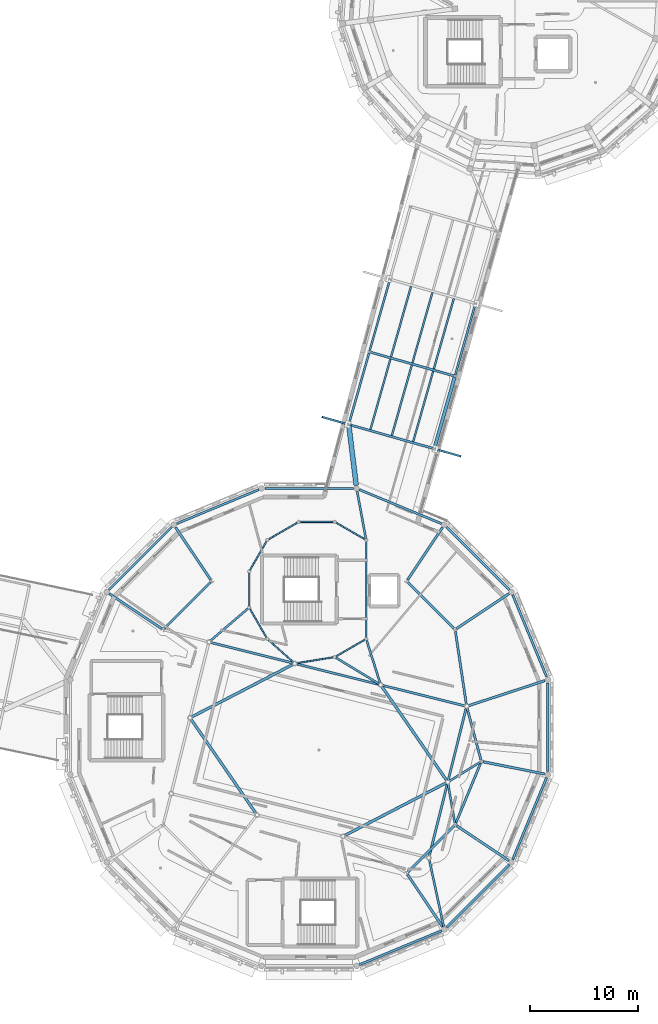
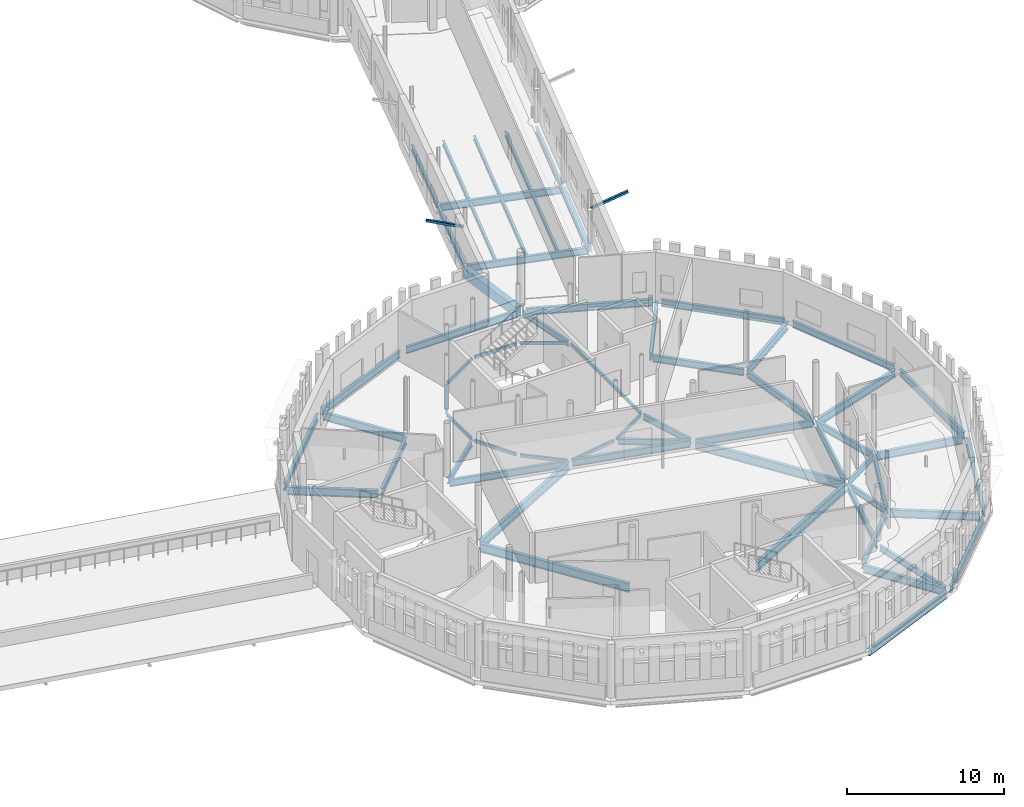
# One storey, part 28 of 90: 63 beams, 2 members.
"""IFC4 building model written with IfcOpenShell, lengths in metres."""

from ifc_helpers import new_model, si_unit, direction, frame, origin, origin_2d, place, context, subcontext, project, spatial, rectangle, hollow_rectangle, i_section, extrude, material, material_profile, profile_set, type_object, element, save


model = new_model("IFC4")

# Units and contexts
model_context = context("Model", 3, precision=1e-05, world=origin(), true_north=direction((0.0, 1.0)))
body_context = subcontext(model_context, "Body", "Model", "MODEL_VIEW")
ifc_project = project(units=[si_unit("LENGTHUNIT", "METRE"), si_unit("AREAUNIT", "SQUARE_METRE"), si_unit("VOLUMEUNIT", "CUBIC_METRE"), si_unit("PLANEANGLEUNIT", "RADIAN"), si_unit("MASSUNIT", "GRAM", prefix="KILO")], contexts=[model_context])

# Site, building, storey
site_placement = place(None, origin())
site = spatial("IfcSite", under=ifc_project, at=site_placement, CompositionType="ELEMENT")
building_placement = place(site_placement, origin())
building = spatial("IfcBuilding", under=site, at=building_placement, Name="Wrenclough Park School", CompositionType="ELEMENT")
storey_placement = place(building_placement, frame((0.0, 0.0, 8.39990234375)))
storey = spatial("IfcBuildingStorey", under=building, at=storey_placement, Name="L02", CompositionType="ELEMENT", Elevation=8.39990234375)

# Beams
ifc_material_1 = material(Name="Concrete C32/40", Category="concrete")
ifc_material_profile_1 = material_profile(ifc_material_1, rectangle(XDim=0.300048828125, YDim=0.5, at=origin_2d()), Name="RC BEAM 300x500")
ifc_profile_set_1 = profile_set([ifc_material_profile_1], Name="Concrete C32/40")
beam_type_1 = type_object("IfcBeamType", Name="STR-BM-RC300", PredefinedType="BEAM", material=ifc_profile_set_1)
beam_1_placement = place(storey_placement, frame((167.072021484375, 52.2783203125, -0.489990234375), z_axis=(0.272808640454, 0.962068316542, 0.0), x_axis=(-0.962068316542, 0.272808640454, 0.0)))
element("IfcBeam", 1, at=beam_1_placement, inside=storey, type_object=beam_type_1, Name="W14 L02 longitudinal edge beam R1", PredefinedType="BEAM", context=body_context, shape_type="SweptSolid", body=[
    extrude(rectangle(XDim=0.300048828125, YDim=0.5, at=origin_2d()), origin(), (0.0, 0.0, 1.0), 6.762939453125),
])
ifc_material_2 = material(Name="Concrete C40/50", Category="concrete")
ifc_material_profile_2 = material_profile(ifc_material_2, rectangle(XDim=0.449951171875, YDim=0.800048828125, at=origin_2d()), Name="RC BEAM 450x800")
ifc_profile_set_2 = profile_set([ifc_material_profile_2], Name="Concrete C40/50")
beam_type_2 = type_object("IfcBeamType", Name="STR-BM-RC450", PredefinedType="BEAM", material=ifc_profile_set_2)
beam_2_placement = place(storey_placement, frame((159.167724609375, 54.318603515625, -0.724853515625), z_axis=(0.12186016137, -0.99254727901, 0.0), x_axis=(0.99254727901, 0.12186016137, 0.0)))
element("IfcBeam", 2, at=beam_2_placement, inside=storey, type_object=beam_type_2, Name="W14 L02 drum junction tie beam 30", PredefinedType="BEAM", context=body_context, shape_type="SweptSolid", body=[
    extrude(rectangle(XDim=0.449951171875, YDim=0.800048828125, at=origin_2d()), origin(), (0.0, 0.0, 1.0), 5.5556640625),
])
ifc_material_3 = material(Name="Structural steel S355", Category="steel")
ifc_material_profile_3 = material_profile(ifc_material_3, hollow_rectangle(XDim=0.14990234375, YDim=0.25, WallThickness=0.010009765625, InnerFilletRadius=0.010009765625, OuterFilletRadius=0.014892578125, at=origin_2d()), Name="RHS 250x150x10.0")
ifc_profile_set_3 = profile_set([ifc_material_profile_3], Name="Structural steel S355")
beam_type_3 = type_object("IfcBeamType", Name="STR-BM-RHS250", PredefinedType="SPANDREL", material=ifc_profile_set_3)
beam_3_placement = place(storey_placement, frame((160.626220703125, 43.83837890625, -0.449951171875), z_axis=(-0.866001636166, 0.500041164463, 0.0), x_axis=(-0.500041164463, -0.866001636166, 0.0)))
element("IfcBeam", 3, at=beam_3_placement, inside=storey, type_object=beam_type_3, Name="D1-SH L02 cylindrical ring beam 1", PredefinedType="SPANDREL", context=body_context, shape_type="SweptSolid", body=[
    extrude(hollow_rectangle(XDim=0.14990234375, YDim=0.25, WallThickness=0.010009765625, InnerFilletRadius=0.010009765625, OuterFilletRadius=0.014892578125, at=origin_2d()), origin(), (0.0, 0.0, 1.0), 3.028076171875),
])
beam_4_placement = place(storey_placement, frame((157.7138671875, 45.43017578125, -0.449951171875), z_axis=(-1.0, 0.0, 0.0), x_axis=(0.0, -1.0, 0.0)))
element("IfcBeam", 4, at=beam_4_placement, inside=storey, type_object=beam_type_3, Name="D1-SH L02 cylindrical ring beam 2", PredefinedType="SPANDREL", context=body_context, shape_type="SweptSolid", body=[
    extrude(hollow_rectangle(XDim=0.14990234375, YDim=0.25, WallThickness=0.010009765625, InnerFilletRadius=0.010009765625, OuterFilletRadius=0.014892578125, at=origin_2d()), origin(), (0.0, 0.0, 1.0), 3.02783203125),
])
beam_5_placement = place(storey_placement, frame((154.39599609375, 45.3525390625, -0.449951171875), z_axis=(-0.866001636166, -0.500041164463, 0.0), x_axis=(0.500041164463, -0.866001636166, 0.0)))
element("IfcBeam", 5, at=beam_5_placement, inside=storey, type_object=beam_type_3, Name="D1-SH L02 cylindrical ring beam 3", PredefinedType="SPANDREL", context=body_context, shape_type="SweptSolid", body=[
    extrude(hollow_rectangle(XDim=0.14990234375, YDim=0.25, WallThickness=0.010009765625, InnerFilletRadius=0.010009765625, OuterFilletRadius=0.014892578125, at=origin_2d()), origin(), (0.0, 0.0, 1.0), 3.028076171875),
])
for number, where, z_axis, x_axis, name in (
    (6, (151.5615234375, 43.626220703125, -0.449951171875), (-0.499980694781, -0.866036549371, 0.0), (0.866036549371, -0.499980694781, 0.0), "D1-SH L02 cylindrical ring beam 4"),
    (7, (149.9697265625, 40.7138671875, -0.449951171875), (0.0, -1.0, 0.0), (1.0, 0.0, 0.0), "D1-SH L02 cylindrical ring beam 5"),
    (8, (150.047607421875, 37.39599609375, -0.449951171875), (0.499980694781, -0.866036549371, 0.0), (0.866036549371, 0.499980694781, 0.0), "D1-SH L02 cylindrical ring beam 6"),
):
    element("IfcBeam", number, at=place(storey_placement, frame(where, z_axis=z_axis, x_axis=x_axis)), inside=storey, type_object=beam_type_3, Name=name, PredefinedType="SPANDREL", context=body_context, shape_type="SweptSolid", body=[
        extrude(hollow_rectangle(XDim=0.14990234375, YDim=0.25, WallThickness=0.010009765625, InnerFilletRadius=0.010009765625, OuterFilletRadius=0.014892578125, at=origin_2d()), origin(), (0.0, 0.0, 1.0), 3.02783203125),
    ])
beam_6_placement = place(storey_placement, frame((151.755126953125, 34.53564453125, -0.449951171875), z_axis=(0.746429961072, -0.665463983409, 0.0), x_axis=(0.665463983409, 0.746429961072, 0.0)))
element("IfcBeam", 9, at=beam_6_placement, inside=storey, type_object=beam_type_3, Name="D1-SH L02 cylindrical ring beam 7", PredefinedType="SPANDREL", context=body_context, shape_type="SweptSolid", body=[
    extrude(hollow_rectangle(XDim=0.14990234375, YDim=0.25, WallThickness=0.010009765625, InnerFilletRadius=0.010009765625, OuterFilletRadius=0.014892578125, at=origin_2d()), origin(), (0.0, 0.0, 1.0), 3.069580078125),
])
beam_7_placement = place(storey_placement, frame((154.3564453125, 32.402587890625, -0.449951171875), z_axis=(0.98721127027, 0.159417401347, 0.0), x_axis=(-0.159417401347, 0.98721127027, 0.0)))
element("IfcBeam", 10, at=beam_7_placement, inside=storey, type_object=beam_type_3, Name="D1-SH L02 cylindrical ring beam 8", PredefinedType="SPANDREL", context=body_context, shape_type="SweptSolid", body=[
    extrude(hollow_rectangle(XDim=0.14990234375, YDim=0.25, WallThickness=0.010009765625, InnerFilletRadius=0.010009765625, OuterFilletRadius=0.014892578125, at=origin_2d()), origin(), (0.0, 0.0, 1.0), 3.40283203125),
])
beam_8_placement = place(storey_placement, frame((158.00390625, 33.047607421875, -0.449951171875), z_axis=(0.866036549371, 0.499980694781, 0.0), x_axis=(-0.499980694781, 0.866036549371, 0.0)))
element("IfcBeam", 11, at=beam_8_placement, inside=storey, type_object=beam_type_3, Name="D1-SH L02 cylindrical ring beam 9", PredefinedType="SPANDREL", context=body_context, shape_type="SweptSolid", body=[
    extrude(hollow_rectangle(XDim=0.14990234375, YDim=0.25, WallThickness=0.010009765625, InnerFilletRadius=0.010009765625, OuterFilletRadius=0.014892578125, at=origin_2d()), origin(), (0.0, 0.0, 1.0), 3.02783203125),
])
beam_9_placement = place(storey_placement, frame((160.7607421875, 34.794677734375, -0.449951171875), z_axis=(0.0, 1.0, 0.0), x_axis=(-1.0, 0.0, 0.0)))
element("IfcBeam", 12, at=beam_9_placement, inside=storey, type_object=beam_type_3, Name="D1-SH L02 cylindrical ring beam 10", PredefinedType="SPANDREL", context=body_context, shape_type="SweptSolid", body=[
    extrude(hollow_rectangle(XDim=0.14990234375, YDim=0.25, WallThickness=0.010009765625, InnerFilletRadius=0.010009765625, OuterFilletRadius=0.014892578125, at=origin_2d()), origin(), (0.0, 0.0, 1.0), 8.810546875),
])
ifc_material_profile_4 = material_profile(ifc_material_3, i_section(OverallWidth=0.1650390625, OverallDepth=0.303466796875, WebThickness=0.006103515625, FlangeThickness=0.01025390625, FilletRadius=0.0087890625, at=origin_2d()), Name="UKB 305x165x40")
ifc_profile_set_4 = profile_set([ifc_material_profile_4], Name="Structural steel S355")
beam_type_4 = type_object("IfcBeamType", Name="STR-BM-UKB305", PredefinedType="JOIST", material=ifc_profile_set_4)
for number, where, z_axis, x_axis, name in (
    (13, (161.15625, 53.9599609375, -0.3916015625), (0.27284457139, 0.962058127071, 0.0), (-0.962058127071, 0.27284457139, 0.0), "W14 L02 secondary floor joist 0070"),
    (14, (165.100830078125, 52.84130859375, -0.3916015625), (0.272801632395, 0.962070303753, 0.0), (-0.962070303753, 0.272801632395, 0.0), "W14 L02 secondary floor joist 0072"),
    (15, (165.028564453125, 60.1005859375, -0.3916015625), (0.272801632395, 0.962070303753, 0.0), (-0.962070303753, 0.272801632395, 0.0), "W14 L02 secondary floor joist 0074"),
):
    element("IfcBeam", number, at=place(storey_placement, frame(where, z_axis=z_axis, x_axis=x_axis)), inside=storey, type_object=beam_type_4, Name=name, PredefinedType="JOIST", context=body_context, shape_type="SweptSolid", body=[
        extrude(i_section(OverallWidth=0.1650390625, OverallDepth=0.303466796875, WebThickness=0.006103515625, FlangeThickness=0.01025390625, FilletRadius=0.0087890625, at=origin_2d()), origin(), (0.0, 0.0, 1.0), 6.7548828125),
    ])
ifc_material_profile_5 = material_profile(ifc_material_3, i_section(OverallWidth=0.17138671875, OverallDepth=0.35498046875, WebThickness=0.00732421875, FlangeThickness=0.011474609375, FilletRadius=0.01025390625, at=origin_2d()), Name="UKB 356x171x51")
ifc_profile_set_5 = profile_set([ifc_material_profile_5], Name="Structural steel S355")
beam_type_5 = type_object("IfcBeamType", Name="STR-BM-UKB356", PredefinedType="JOIST", material=ifc_profile_set_5)
for number, where, z_axis, x_axis, name in (
    (16, (163.128662109375, 53.400634765625, -0.41748046875), (0.272801632395, 0.962070303753, 0.0), (-0.962070303753, 0.272801632395, 0.0), "W14 L02 secondary floor joist 0071"),
    (17, (163.056396484375, 60.659912109375, -0.41748046875), (0.272801632395, 0.962070303753, 0.0), (-0.962070303753, 0.272801632395, 0.0), "W14 L02 secondary floor joist 0073"),
    (18, (167.000732421875, 59.54150390625, -0.41748046875), (0.27284457139, 0.962058127071, 0.0), (-0.962058127071, 0.27284457139, 0.0), "W14 L02 secondary floor joist 0075"),
):
    element("IfcBeam", number, at=place(storey_placement, frame(where, z_axis=z_axis, x_axis=x_axis)), inside=storey, type_object=beam_type_5, Name=name, PredefinedType="JOIST", context=body_context, shape_type="SweptSolid", body=[
        extrude(i_section(OverallWidth=0.17138671875, OverallDepth=0.35498046875, WebThickness=0.00732421875, FlangeThickness=0.011474609375, FilletRadius=0.01025390625, at=origin_2d()), origin(), (0.0, 0.0, 1.0), 6.7548828125),
    ])
ifc_material_profile_6 = material_profile(ifc_material_3, i_section(OverallWidth=0.177978515625, OverallDepth=0.406494140625, WebThickness=0.0078125, FlangeThickness=0.0126953125, FilletRadius=0.01025390625, at=origin_2d()), Name="UKB 406x178x60")
ifc_profile_set_6 = profile_set([ifc_material_profile_6], Name="Structural steel S355")
beam_type_6 = type_object("IfcBeamType", Name="STR-BM-UKB406", PredefinedType="BEAM", material=ifc_profile_set_6)
beam_10_placement = place(storey_placement, frame((161.0830078125, 61.21533203125, -0.443115234375), z_axis=(0.272808640454, 0.962068316542, 0.0), x_axis=(-0.962068316542, 0.272808640454, 0.0)))
element("IfcBeam", 19, at=beam_10_placement, inside=storey, type_object=beam_type_6, Name="W14 L02 longitudinal edge beam L2", PredefinedType="BEAM", context=body_context, shape_type="SweptSolid", body=[
    extrude(i_section(OverallWidth=0.177978515625, OverallDepth=0.406494140625, WebThickness=0.0078125, FlangeThickness=0.0126953125, FilletRadius=0.01025390625, at=origin_2d()), origin(), (0.0, 0.0, 1.0), 6.762939453125),
])
ifc_material_profile_7 = material_profile(ifc_material_3, i_section(OverallWidth=0.18994140625, OverallDepth=0.453369140625, WebThickness=0.008544921875, FlangeThickness=0.0126953125, FilletRadius=0.01025390625, at=origin_2d()), Name="UKB 457x191x67")
ifc_profile_set_7 = profile_set([ifc_material_profile_7], Name="Structural steel S355")
beam_type_7 = type_object("IfcBeamType", Name="STR-BM-UKB457A", PredefinedType="BEAM", material=ifc_profile_set_7)
for number, where, z_axis, x_axis, name in (
    (20, (159.182861328125, 54.515380859375, -0.466552734375), (0.272842053349, 0.962058841196, 0.0), (-0.962058841196, 0.272842053349, 0.0), "W14 L02 longitudinal edge beam L1"),
    (21, (168.971923828125, 58.978271484375, -0.466552734375), (0.272842053349, 0.962058841196, 0.0), (-0.962058841196, 0.272842053349, 0.0), "W14 L02 longitudinal edge beam R2"),
):
    element("IfcBeam", number, at=place(storey_placement, frame(where, z_axis=z_axis, x_axis=x_axis)), inside=storey, type_object=beam_type_7, Name=name, PredefinedType="BEAM", context=body_context, shape_type="SweptSolid", body=[
        extrude(i_section(OverallWidth=0.18994140625, OverallDepth=0.453369140625, WebThickness=0.008544921875, FlangeThickness=0.0126953125, FilletRadius=0.01025390625, at=origin_2d()), origin(), (0.0, 0.0, 1.0), 6.762939453125),
    ])
beam_11_placement = place(storey_placement, frame((146.3916015625, 34.466064453125, -0.551513671875), z_axis=(0.759528898389, 0.650473560195, 0.0), x_axis=(-0.650473560195, 0.759528898389, 0.0)))
element("IfcBeam", 22, at=beam_11_placement, inside=storey, type_object=beam_type_7, Name="Primary frame continuity tie beam 0012", PredefinedType="BEAM", context=body_context, shape_type="SweptSolid", body=[
    extrude(i_section(OverallWidth=0.18994140625, OverallDepth=0.453369140625, WebThickness=0.008544921875, FlangeThickness=0.0126953125, FilletRadius=0.01025390625, at=origin_2d()), origin(), (0.0, 0.0, 1.0), 4.5556640625),
])
beam_12_placement = place(storey_placement, frame((162.0498046875, 30.56884765625, -0.551513671875), z_axis=(-0.30193215467, 0.953329415247, 0.0), x_axis=(-0.953329415247, -0.30193215467, 0.0)))
element("IfcBeam", 23, at=beam_12_placement, inside=storey, type_object=beam_type_7, Name="Primary frame continuity tie beam 0026", PredefinedType="BEAM", context=body_context, shape_type="SweptSolid", body=[
    extrude(i_section(OverallWidth=0.18994140625, OverallDepth=0.453369140625, WebThickness=0.008544921875, FlangeThickness=0.0126953125, FilletRadius=0.01025390625, at=origin_2d()), origin(), (0.0, 0.0, 1.0), 4.114013671875),
])
beam_13_placement = place(storey_placement, frame((161.950927734375, 30.4912109375, -0.551513671875), z_axis=(-0.85473894985, 0.51905811583, 0.0), x_axis=(-0.51905811583, -0.85473894985, 0.0)))
element("IfcBeam", 24, at=beam_13_placement, inside=storey, type_object=beam_type_7, Name="Primary frame continuity tie beam 0028", PredefinedType="BEAM", context=body_context, shape_type="SweptSolid", body=[
    extrude(i_section(OverallWidth=0.18994140625, OverallDepth=0.453369140625, WebThickness=0.008544921875, FlangeThickness=0.0126953125, FilletRadius=0.01025390625, at=origin_2d()), origin(), (0.0, 0.0, 1.0), 4.619873046875),
])
beam_14_placement = place(storey_placement, frame((166.58203125, 14.275390625, -0.551513671875), z_axis=(0.211007708632, -0.977484397266, 0.0), x_axis=(0.977484397266, 0.211007708632, 0.0)))
element("IfcBeam", 25, at=beam_14_placement, inside=storey, type_object=beam_type_7, Name="Primary frame continuity tie beam 0032", PredefinedType="BEAM", context=body_context, shape_type="SweptSolid", body=[
    extrude(i_section(OverallWidth=0.18994140625, OverallDepth=0.453369140625, WebThickness=0.008544921875, FlangeThickness=0.0126953125, FilletRadius=0.01025390625, at=origin_2d()), origin(), (0.0, 0.0, 1.0), 6.30224609375),
])
beam_15_placement = place(storey_placement, frame((168.438720703125, 21.530029296875, -0.551513671875), z_axis=(0.852427338751, 0.522845705873, 0.0), x_axis=(-0.522845705873, 0.852427338751, 0.0)))
element("IfcBeam", 26, at=beam_15_placement, inside=storey, type_object=beam_type_7, Name="Primary frame continuity tie beam 0034", PredefinedType="BEAM", context=body_context, shape_type="SweptSolid", body=[
    extrude(i_section(OverallWidth=0.18994140625, OverallDepth=0.453369140625, WebThickness=0.008544921875, FlangeThickness=0.0126953125, FilletRadius=0.01025390625, at=origin_2d()), origin(), (0.0, 0.0, 1.0), 3.309814453125),
])
beam_16_placement = place(storey_placement, frame((168.316650390625, 21.26025390625, -0.551513671875), z_axis=(0.171155676183, -0.98524399745, 0.0), x_axis=(0.98524399745, 0.171155676183, 0.0)))
element("IfcBeam", 27, at=beam_16_placement, inside=storey, type_object=beam_type_7, Name="Primary frame continuity tie beam 0036", PredefinedType="BEAM", context=body_context, shape_type="SweptSolid", body=[
    extrude(i_section(OverallWidth=0.18994140625, OverallDepth=0.453369140625, WebThickness=0.008544921875, FlangeThickness=0.0126953125, FilletRadius=0.01025390625, at=origin_2d()), origin(), (0.0, 0.0, 1.0), 3.666015625),
])
beam_17_placement = place(storey_placement, frame((160.732421875, 43.913818359375, -0.551513671875), z_axis=(-0.182091249355, 0.983281636617, 0.0), x_axis=(-0.983281636617, -0.182091249355, 0.0)))
element("IfcBeam", 28, at=beam_17_placement, inside=storey, type_object=beam_type_7, Name="Primary frame continuity tie beam 0076", PredefinedType="BEAM", context=body_context, shape_type="SweptSolid", body=[
    extrude(i_section(OverallWidth=0.18994140625, OverallDepth=0.453369140625, WebThickness=0.008544921875, FlangeThickness=0.0126953125, FilletRadius=0.01025390625, at=origin_2d()), origin(), (0.0, 0.0, 1.0), 4.39501953125),
])
ifc_material_profile_8 = material_profile(ifc_material_3, i_section(OverallWidth=0.209228515625, OverallDepth=0.533203125, WebThickness=0.010009765625, FlangeThickness=0.015625, FilletRadius=0.0126953125, at=origin_2d()), Name="UKB 533x210x92")
ifc_profile_set_8 = profile_set([ifc_material_profile_8], Name="Structural steel S355")
beam_type_8 = type_object("IfcBeamType", Name="STR-BM-UKB533A", PredefinedType="BEAM", material=ifc_profile_set_8)
beam_18_placement = place(storey_placement, frame((170.001708984375, 28.599609375, -0.591552734375), z_axis=(-0.147887474784, 0.989004193521, 0.0), x_axis=(-0.989004193521, -0.147887474784, 0.0)))
element("IfcBeam", 29, at=beam_18_placement, inside=storey, type_object=beam_type_8, Name="D1 L02 middle ring beam 1", PredefinedType="BEAM", context=body_context, shape_type="SweptSolid", body=[
    extrude(i_section(OverallWidth=0.209228515625, OverallDepth=0.533203125, WebThickness=0.010009765625, FlangeThickness=0.015625, FilletRadius=0.0126953125, at=origin_2d()), origin(), (0.0, 0.0, 1.0), 6.826171875),
])
for number, where, z_axis, x_axis, name in (
    (30, (168.863037109375, 35.60693359375, -0.591552734375), (-0.707106781187, 0.707106781187, 0.0), (-0.707106781187, -0.707106781187, 0.0), "D1 L02 middle ring beam 2"),
    (31, (146.39306640625, 39.863037109375, -0.591552734375), (-0.707106781187, -0.707106781187, 0.0), (0.707106781187, -0.707106781187, 0.0), "D1 L02 middle ring beam 6"),
    (32, (164.60693359375, 13.136962890625, -0.591552734375), (0.707106781187, 0.707106781187, 0.0), (-0.707106781187, 0.707106781187, 0.0), "D1 L02 middle ring beam 14"),
):
    element("IfcBeam", number, at=place(storey_placement, frame(where, z_axis=z_axis, x_axis=x_axis)), inside=storey, type_object=beam_type_8, Name=name, PredefinedType="BEAM", context=body_context, shape_type="SweptSolid", body=[
        extrude(i_section(OverallWidth=0.209228515625, OverallDepth=0.533203125, WebThickness=0.010009765625, FlangeThickness=0.015625, FilletRadius=0.0126953125, at=origin_2d()), origin(), (0.0, 0.0, 1.0), 6.01904296875),
    ])
beam_19_placement = place(storey_placement, frame((169.027587890625, 17.639404296875, -0.591552734375), z_axis=(0.382678997223, 0.923881369595, 0.0), x_axis=(-0.923881369595, 0.382678997223, 0.0)))
element("IfcBeam", 33, at=beam_19_placement, inside=storey, type_object=beam_type_8, Name="D1 L02 middle ring beam 15", PredefinedType="BEAM", context=body_context, shape_type="SweptSolid", body=[
    extrude(i_section(OverallWidth=0.209228515625, OverallDepth=0.533203125, WebThickness=0.010009765625, FlangeThickness=0.015625, FilletRadius=0.0126953125, at=origin_2d()), origin(), (0.0, 0.0, 1.0), 6.018798828125),
])
beam_20_placement = place(storey_placement, frame((171.349609375, 23.4853515625, -0.591552734375), z_axis=(-0.258586802255, 0.96598802565, 0.0), x_axis=(-0.96598802565, -0.258586802255, 0.0)))
element("IfcBeam", 34, at=beam_20_placement, inside=storey, type_object=beam_type_8, Name="D1 L02 middle ring beam 16", PredefinedType="BEAM", context=body_context, shape_type="SweptSolid", body=[
    extrude(i_section(OverallWidth=0.209228515625, OverallDepth=0.533203125, WebThickness=0.010009765625, FlangeThickness=0.015625, FilletRadius=0.0126953125, at=origin_2d()), origin(), (0.0, 0.0, 1.0), 4.93212890625),
])
for number, where, z_axis, x_axis, name in (
    (35, (146.42919921875, 34.306396484375, -0.591552734375), (0.970296782276, -0.241917660177, 0.0), (0.241917660177, 0.970296782276, 0.0), "D1 L02 hall frame girder 2.4"),
    (36, (154.353271484375, 32.330810546875, -0.591552734375), (0.970296782276, -0.241917660177, 0.0), (0.241917660177, 0.970296782276, 0.0), "D1 L02 hall frame girder 4.6"),
    (37, (162.27734375, 30.35498046875, -0.591552734375), (0.970296782276, -0.241917660177, 0.0), (0.241917660177, 0.970296782276, 0.0), "D1 L02 hall frame girder 6.9"),
):
    element("IfcBeam", number, at=place(storey_placement, frame(where, z_axis=z_axis, x_axis=x_axis)), inside=storey, type_object=beam_type_8, Name=name, PredefinedType="BEAM", context=body_context, shape_type="SweptSolid", body=[
        extrude(i_section(OverallWidth=0.209228515625, OverallDepth=0.533203125, WebThickness=0.010009765625, FlangeThickness=0.015625, FilletRadius=0.0126953125, at=origin_2d()), origin(), (0.0, 0.0, 1.0), 7.80908203125),
    ])
beam_21_placement = place(storey_placement, frame((166.587646484375, 14.623779296875, -0.591552734375), z_axis=(0.241914313491, 0.970297616677, 0.0), x_axis=(-0.970297616677, 0.241914313491, 0.0)))
element("IfcBeam", 38, at=beam_21_placement, inside=storey, type_object=beam_type_8, Name="D1 L02 hall frame girder 7.8", PredefinedType="BEAM", context=body_context, shape_type="SweptSolid", body=[
    extrude(i_section(OverallWidth=0.209228515625, OverallDepth=0.533203125, WebThickness=0.010009765625, FlangeThickness=0.015625, FilletRadius=0.0126953125, at=origin_2d()), origin(), (0.0, 0.0, 1.0), 6.84228515625),
])
beam_22_placement = place(storey_placement, frame((168.329345703125, 21.610107421875, -0.591552734375), z_axis=(0.241922689034, 0.97029552845, 0.0), x_axis=(-0.97029552845, 0.241922689034, 0.0)))
element("IfcBeam", 39, at=beam_22_placement, inside=storey, type_object=beam_type_8, Name="D1 L02 hall frame girder 8.9", PredefinedType="BEAM", context=body_context, shape_type="SweptSolid", body=[
    extrude(i_section(OverallWidth=0.209228515625, OverallDepth=0.533203125, WebThickness=0.010009765625, FlangeThickness=0.015625, FilletRadius=0.0126953125, at=origin_2d()), origin(), (0.0, 0.0, 1.0), 6.842041015625),
])
beam_23_placement = place(storey_placement, frame((159.252197265625, 54.39111328125, -0.50634765625), z_axis=(0.962062258577, -0.272830003154, 0.0), x_axis=(0.272830003154, 0.962062258577, 0.0)))
element("IfcBeam", 40, at=beam_23_placement, inside=storey, type_object=beam_type_8, Name="W14 L02 transverse floor beam 1", PredefinedType="BEAM", context=body_context, shape_type="SweptSolid", body=[
    extrude(i_section(OverallWidth=0.209228515625, OverallDepth=0.533203125, WebThickness=0.010009765625, FlangeThickness=0.015625, FilletRadius=0.0126953125, at=origin_2d()), origin(), (0.0, 0.0, 1.0), 7.9990234375),
])
beam_24_placement = place(storey_placement, frame((161.15234375, 61.09130859375, -0.50634765625), z_axis=(0.96205197457, -0.272866264361, 0.0), x_axis=(0.272866264361, 0.96205197457, 0.0)))
element("IfcBeam", 41, at=beam_24_placement, inside=storey, type_object=beam_type_8, Name="W14 L02 transverse floor beam 2", PredefinedType="BEAM", context=body_context, shape_type="SweptSolid", body=[
    extrude(i_section(OverallWidth=0.209228515625, OverallDepth=0.533203125, WebThickness=0.010009765625, FlangeThickness=0.015625, FilletRadius=0.0126953125, at=origin_2d()), origin(), (0.0, 0.0, 1.0), 7.998779296875),
])
ifc_material_profile_9 = material_profile(ifc_material_3, i_section(OverallWidth=0.210693359375, OverallDepth=0.53955078125, WebThickness=0.01171875, FlangeThickness=0.018798828125, FilletRadius=0.0126953125, at=origin_2d()), Name="UKB 533x210x109")
ifc_profile_set_9 = profile_set([ifc_material_profile_9], Name="Structural steel S355")
beam_type_9 = type_object("IfcBeamType", Name="STR-BM-UKB533B", PredefinedType="SPANDREL", material=ifc_profile_set_9)
for number, where, z_axis, x_axis, name in (
    (42, (177.408447265625, 31.14599609375, -0.5947265625), (-0.382699586795, 0.923872840962, 0.0), (-0.923872840962, -0.382699586795, 0.0), "D1 L02 outer ring spandrel beam 1"),
    (43, (173.962890625, 39.17626953125, -0.5947265625), (-0.707106781187, 0.707106781187, 0.0), (-0.707106781187, -0.707106781187, 0.0), "D1 L02 outer ring spandrel beam 2"),
    (44, (167.70654296875, 45.276611328125, -0.5947265625), (-0.923872840962, 0.382699586795, 0.0), (-0.382699586795, -0.923872840962, 0.0), "D1 L02 outer ring spandrel beam 3"),
    (45, (159.591796875, 48.5185546875, -0.5947265625), (-1.0, 0.0, 0.0), (0.0, -1.0, 0.0), "D1 L02 outer ring spandrel beam 4"),
    (46, (150.85400390625, 48.408447265625, -0.5947265625), (-0.923872840962, -0.382699586795, 0.0), (0.382699586795, -0.923872840962, 0.0), "D1 L02 outer ring spandrel beam 5"),
    (47, (142.82373046875, 44.962890625, -0.5947265625), (-0.707106781187, -0.707106781187, 0.0), (0.707106781187, -0.707106781187, 0.0), "D1 L02 outer ring spandrel beam 6"),
    (48, (160.14599609375, 4.591552734375, -0.5947265625), (0.923872840962, 0.382699586795, 0.0), (-0.382699586795, 0.923872840962, 0.0), "D1 L02 outer ring spandrel beam 13"),
    (49, (168.17626953125, 8.037109375, -0.5947265625), (0.707106781187, 0.707106781187, 0.0), (-0.707106781187, 0.707106781187, 0.0), "D1 L02 outer ring spandrel beam 14"),
    (50, (174.276611328125, 14.29345703125, -0.5947265625), (0.382699586795, 0.923872840962, 0.0), (-0.923872840962, 0.382699586795, 0.0), "D1 L02 outer ring spandrel beam 15"),
    (51, (177.5185546875, 22.408203125, -0.5947265625), (0.0, 1.0, 0.0), (-1.0, 0.0, 0.0), "D1 L02 outer ring spandrel beam 16"),
):
    element("IfcBeam", number, at=place(storey_placement, frame(where, z_axis=z_axis, x_axis=x_axis)), inside=storey, type_object=beam_type_9, Name=name, PredefinedType="SPANDREL", context=body_context, shape_type="SweptSolid", body=[
        extrude(i_section(OverallWidth=0.210693359375, OverallDepth=0.53955078125, WebThickness=0.01171875, FlangeThickness=0.018798828125, FilletRadius=0.0126953125, at=origin_2d()), origin(), (0.0, 0.0, 1.0), 8.18359375),
    ])
ifc_material_profile_10 = material_profile(ifc_material_3, i_section(OverallWidth=0.22900390625, OverallDepth=0.6123046875, WebThickness=0.011962890625, FlangeThickness=0.01953125, FilletRadius=0.0126953125, at=origin_2d()), Name="UKB 610x229x125")
ifc_profile_set_10 = profile_set([ifc_material_profile_10], Name="Structural steel S355")
beam_type_10 = type_object("IfcBeamType", Name="STR-BM-UKB610", PredefinedType="BEAM", material=ifc_profile_set_10)
beam_25_placement = place(storey_placement, frame((177.244873046875, 30.7900390625, -0.631103515625), z_axis=(-0.950176965525, -0.311710978609, 0.0), x_axis=(0.311710978609, -0.950176965525, 0.0)))
element("IfcBeam", 52, at=beam_25_placement, inside=storey, type_object=beam_type_10, Name="D1 L02 radial girder 1", PredefinedType="BEAM", context=body_context, shape_type="SweptSolid", body=[
    extrude(i_section(OverallWidth=0.22900390625, OverallDepth=0.6123046875, WebThickness=0.011962890625, FlangeThickness=0.01953125, FilletRadius=0.0126953125, at=origin_2d()), origin(), (0.0, 0.0, 1.0), 7.416259765625),
])
for number, where, z_axis, x_axis, name in (
    (53, (173.927001953125, 38.8125, -0.631103515625), (-0.831468126154, -0.555572457191, 0.0), (0.555572457191, -0.831468126154, 0.0), "D1 L02 radial girder 2"),
    (54, (167.8125, 44.927001953125, -0.631103515625), (-0.555572457191, -0.831468126154, 0.0), (0.831468126154, -0.555572457191, 0.0), "D1 L02 radial girder 3"),
    (55, (143.1875, 44.927001953125, -0.631103515625), (0.555572457191, -0.831468126154, 0.0), (0.831468126154, 0.555572457191, 0.0), "D1 L02 radial girder 6"),
    (56, (137.072998046875, 38.8125, -0.631103515625), (0.831468126154, -0.555572457191, 0.0), (0.555572457191, 0.831468126154, 0.0), "D1 L02 radial girder 7"),
    (57, (167.8125, 8.072998046875, -0.631103515625), (-0.555572457191, 0.831468126154, 0.0), (-0.831468126154, -0.555572457191, 0.0), "D1 L02 radial girder 14"),
    (58, (173.927001953125, 14.1875, -0.631103515625), (-0.831468126154, 0.555572457191, 0.0), (-0.555572457191, -0.831468126154, 0.0), "D1 L02 radial girder 15"),
):
    element("IfcBeam", number, at=place(storey_placement, frame(where, z_axis=z_axis, x_axis=x_axis)), inside=storey, type_object=beam_type_10, Name=name, PredefinedType="BEAM", context=body_context, shape_type="SweptSolid", body=[
        extrude(i_section(OverallWidth=0.22900390625, OverallDepth=0.6123046875, WebThickness=0.011962890625, FlangeThickness=0.01953125, FilletRadius=0.0126953125, at=origin_2d()), origin(), (0.0, 0.0, 1.0), 5.81103515625),
    ])
beam_26_placement = place(storey_placement, frame((177.236083984375, 22.176513671875, -0.631103515625), z_axis=(-0.980788578757, 0.195073739341, 0.0), x_axis=(-0.195073739341, -0.980788578757, 0.0)))
element("IfcBeam", 59, at=beam_26_placement, inside=storey, type_object=beam_type_10, Name="D1 L02 radial girder 16", PredefinedType="BEAM", context=body_context, shape_type="SweptSolid", body=[
    extrude(i_section(OverallWidth=0.22900390625, OverallDepth=0.6123046875, WebThickness=0.011962890625, FlangeThickness=0.01953125, FilletRadius=0.0126953125, at=origin_2d()), origin(), (0.0, 0.0, 1.0), 5.810791015625),
])
ifc_material_profile_11 = material_profile(ifc_material_3, i_section(OverallWidth=0.253662109375, OverallDepth=0.68359375, WebThickness=0.012451171875, FlangeThickness=0.01904296875, FilletRadius=0.01513671875, at=origin_2d()), Name="UKB 686x254x140")
ifc_profile_set_11 = profile_set([ifc_material_profile_11], Name="Structural steel S355")
beam_type_11 = type_object("IfcBeamType", Name="STR-BM-UKB686", PredefinedType="BEAM", material=ifc_profile_set_11)
beam_27_placement = place(storey_placement, frame((144.615478515625, 27.21630859375, -0.666748046875), z_axis=(0.567825061004, -0.823149257483, 0.0), x_axis=(0.823149257483, 0.567825061004, 0.0)))
element("IfcBeam", 60, at=beam_27_placement, inside=storey, type_object=beam_type_11, Name="D1 L02 hall frame girder 1.3", PredefinedType="BEAM", context=body_context, shape_type="SweptSolid", body=[
    extrude(i_section(OverallWidth=0.253662109375, OverallDepth=0.68359375, WebThickness=0.012451171875, FlangeThickness=0.01904296875, FilletRadius=0.01513671875, at=origin_2d()), origin(), (0.0, 0.0, 1.0), 10.529541015625),
])
beam_28_placement = place(storey_placement, frame((144.672607421875, 27.44580078125, -0.666748046875), z_axis=(0.887807514522, 0.46021496842, 0.0), x_axis=(-0.46021496842, 0.887807514522, 0.0)))
element("IfcBeam", 61, at=beam_28_placement, inside=storey, type_object=beam_type_11, Name="D1 L02 hall frame girder 1.4", PredefinedType="BEAM", context=body_context, shape_type="SweptSolid", body=[
    extrude(i_section(OverallWidth=0.253662109375, OverallDepth=0.68359375, WebThickness=0.012451171875, FlangeThickness=0.01904296875, FilletRadius=0.01513671875, at=origin_2d()), origin(), (0.0, 0.0, 1.0), 10.52978515625),
])
for number, where, z_axis, x_axis, name in (
    (62, (158.779052734375, 16.50830078125, -0.666748046875), (0.887802603669, 0.460224441897, 0.0), (-0.460224441897, 0.887802603669, 0.0), "D1 L02 hall frame girder 5.8"),
    (63, (162.20556640625, 30.251220703125, -0.666748046875), (0.567825061004, -0.823149257483, 0.0), (0.823149257483, 0.567825061004, 0.0), "D1 L02 hall frame girder 6.8"),
):
    element("IfcBeam", number, at=place(storey_placement, frame(where, z_axis=z_axis, x_axis=x_axis)), inside=storey, type_object=beam_type_11, Name=name, PredefinedType="BEAM", context=body_context, shape_type="SweptSolid", body=[
        extrude(i_section(OverallWidth=0.253662109375, OverallDepth=0.68359375, WebThickness=0.012451171875, FlangeThickness=0.01904296875, FilletRadius=0.01513671875, at=origin_2d()), origin(), (0.0, 0.0, 1.0), 10.529541015625),
    ])

# Members
ifc_material_profile_12 = material_profile(ifc_material_3, hollow_rectangle(XDim=0.179931640625, YDim=0.179931640625, WallThickness=0.010009765625, InnerFilletRadius=0.010009765625, OuterFilletRadius=0.014892578125, at=origin_2d()), Name="SHS 180x180x10.0")
ifc_profile_set_12 = profile_set([ifc_material_profile_12], Name="Structural steel S355")
member_type = type_object("IfcMemberType", Name="STR-MEM-STRUT2", PredefinedType="STRUT", material=ifc_profile_set_12)
for number, where, z_axis, x_axis, name in (
    (64, (159.0673828125, 54.443603515625, 2.75), (-0.903421177249, 0.256162053458, 0.343818526065), (-0.272792547558, -0.962072879774, 0.0), "W14 overhanging eave knee-brace strut 7"),
    (65, (167.132568359375, 52.156494140625, 2.75), (0.90339959361, -0.256249182828, 0.343810311895), (0.272884459541, 0.962046813695, 0.0), "W14 overhanging eave knee-brace strut 8"),
):
    element("IfcMember", number, at=place(storey_placement, frame(where, z_axis=z_axis, x_axis=x_axis)), inside=storey, type_object=member_type, Name=name, PredefinedType="STRUT", context=body_context, shape_type="SweptSolid", body=[
        extrude(hollow_rectangle(XDim=0.179931640625, YDim=0.179931640625, WallThickness=0.010009765625, InnerFilletRadius=0.010009765625, OuterFilletRadius=0.014892578125, at=origin_2d()), origin(), (0.0, 0.0, 1.0), 2.6181640625),
    ])

save(model, "model.ifc")
